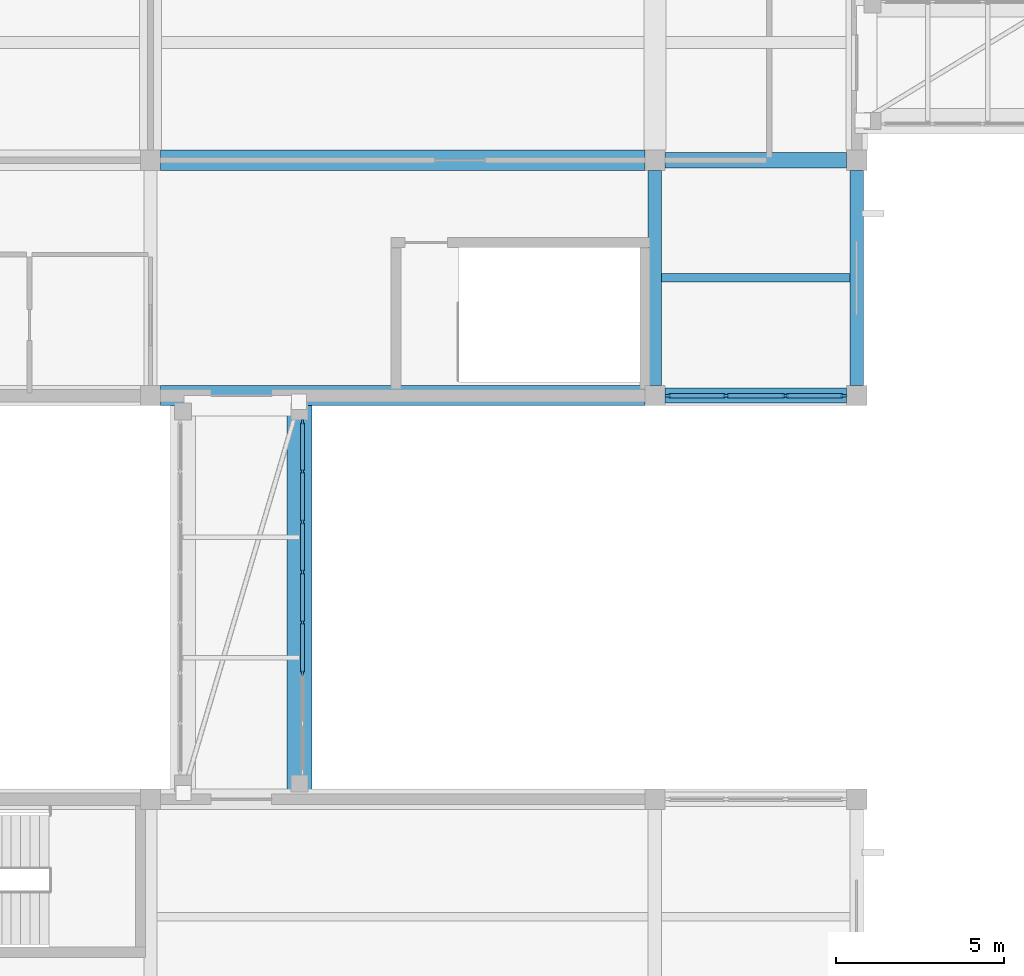
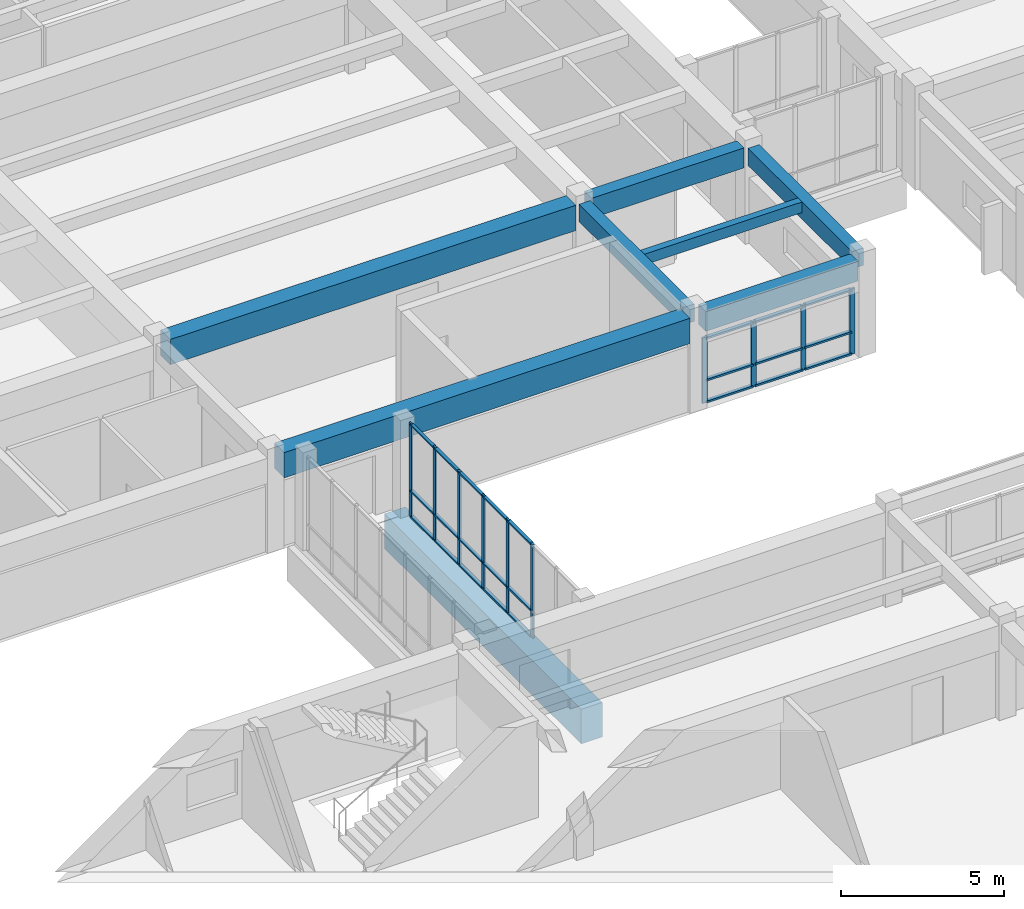
# One storey, part 13 of 66: 34 members, 8 beams, 2 elements without a shape of their own.
"""IFC4 building model written with IfcOpenShell, lengths in metres."""

from ifc_helpers import new_model, si_unit, direction, frame, origin, origin_2d, place, context, subcontext, project, spatial, rectangle, extrude, material, layer, layer_set, material_profile, profile_set, type_object, element, aggregate, save


model = new_model("IFC4")

# Units and contexts
model_context = context("Model", 3, precision=1e-05, world=origin(), true_north=direction((0.0, 1.0)))
body_context = subcontext(model_context, "Body", "Model", "MODEL_VIEW")
ifc_project = project(units=[si_unit("LENGTHUNIT", "METRE"), si_unit("AREAUNIT", "SQUARE_METRE"), si_unit("VOLUMEUNIT", "CUBIC_METRE"), si_unit("PLANEANGLEUNIT", "RADIAN"), si_unit("MASSUNIT", "GRAM", prefix="KILO")], contexts=[model_context])

# Site, building, storey
site_placement = place(None, origin())
site = spatial("IfcSite", under=ifc_project, at=site_placement, CompositionType="ELEMENT")
building_placement = place(site_placement, origin())
building = spatial("IfcBuilding", under=site, at=building_placement, Name="Naurynzar Civic Courthouse", CompositionType="ELEMENT")
storey_placement = place(building_placement, frame((0.0, 0.0, 14.39990234375)))
storey = spatial("IfcBuildingStorey", under=building, at=storey_placement, Name="L04", CompositionType="ELEMENT", Elevation=14.39990234375)

# Beams
ifc_material_1 = material(Name="Concrete C40/50", Category="concrete")
ifc_material_profile_1 = material_profile(ifc_material_1, rectangle(XDim=0.449951171875, YDim=0.75, at=origin_2d()), Name="RCF 450x750")
ifc_profile_set_1 = profile_set([ifc_material_profile_1], Name="Concrete C40/50")
beam_type_1 = type_object("IfcBeamType", Name="BM-FLD-450x750", PredefinedType="BEAM", material=ifc_profile_set_1)
for number, where, z_axis, x_axis, name in (
    (1, (50.300048828125, 44.0, 3.205078125), (1.0, 0.0, 0.0), (0.0, 1.0, 0.0), "V1 beam X-226 L04"),
    (2, (50.300048828125, 51.0, 3.205078125), (1.0, 0.0, 0.0), (0.0, 1.0, 0.0), "V1 beam X-231 L04"),
):
    element("IfcBeam", number, at=place(storey_placement, frame(where, z_axis=z_axis, x_axis=x_axis)), inside=storey, type_object=beam_type_1, Name=name, PredefinedType="BEAM", context=body_context, shape_type="SweptSolid", body=[
        extrude(rectangle(XDim=0.449951171875, YDim=0.75, at=origin_2d()), origin(), (0.0, 0.0, 1.0), 5.39990234375),
    ])
ifc_material_2 = material(Name="Concrete C40/50", Category="concrete")
ifc_material_profile_2 = material_profile(ifc_material_2, rectangle(XDim=0.25, YDim=0.39990234375, at=origin_2d()), Name="RCB 250x400")
ifc_profile_set_2 = profile_set([ifc_material_profile_2], Name="Concrete C40/50")
beam_type_2 = type_object("IfcBeamType", Name="BM-JST-250x400", PredefinedType="JOIST", material=ifc_profile_set_2)
beam_1_placement = place(storey_placement, frame((50.199951171875, 47.5, 3.380126953125), z_axis=(1.0, 0.0, 0.0), x_axis=(0.0, 1.0, 0.0)))
element("IfcBeam", 3, at=beam_1_placement, inside=storey, type_object=beam_type_2, Name="V1 secondary rib 260 L04", PredefinedType="JOIST", context=body_context, shape_type="SweptSolid", body=[
    extrude(rectangle(XDim=0.25, YDim=0.39990234375, at=origin_2d()), origin(), (0.0, 0.0, 1.0), 5.60009765625),
])
ifc_material_3 = material(Name="Concrete C40/50", Category="concrete")
ifc_material_profile_3 = material_profile(ifc_material_3, rectangle(XDim=0.60009765625, YDim=0.949951171875, at=origin_2d()), Name="PTB 600x950")
ifc_profile_set_3 = profile_set([ifc_material_profile_3], Name="Concrete C40/50")
beam_type_3 = type_object("IfcBeamType", Name="BM-PT-600x950", PredefinedType="T_BEAM", material=ifc_profile_set_3)
for number, where, z_axis, x_axis, name in (
    (4, (35.300048828125, 44.0, 3.10498046875), (1.0, 0.0, 0.0), (0.0, 1.0, 0.0), "V1 beam X-225 L04"),
    (5, (35.300048828125, 51.0, 3.10498046875), (1.0, 0.0, 0.0), (0.0, 1.0, 0.0), "V1 beam X-230 L04"),
):
    element("IfcBeam", number, at=place(storey_placement, frame(where, z_axis=z_axis, x_axis=x_axis)), inside=storey, type_object=beam_type_3, Name=name, PredefinedType="T_BEAM", context=body_context, shape_type="SweptSolid", body=[
        extrude(rectangle(XDim=0.60009765625, YDim=0.949951171875, at=origin_2d()), origin(), (0.0, 0.0, 1.0), 14.39990234375),
    ])
ifc_material_4 = material(Name="Concrete C40/50", Category="concrete")
ifc_material_profile_4 = material_profile(ifc_material_4, rectangle(XDim=0.39990234375, YDim=0.64990234375, at=origin_2d()), Name="RCB 400x650")
ifc_profile_set_4 = profile_set([ifc_material_profile_4], Name="Concrete C40/50")
beam_type_4 = type_object("IfcBeamType", Name="BM-RC-400x650", PredefinedType="BEAM", material=ifc_profile_set_4)
for number, where, z_axis, x_axis, name in (
    (6, (50.0, 44.300048828125, 3.255126953125), (0.0, 1.0, 0.0), (-1.0, 0.0, 0.0), "V1 girder Y-254 L04"),
    (7, (56.0, 44.300048828125, 3.255126953125), (0.0, 1.0, 0.0), (-1.0, 0.0, 0.0), "V1 girder Y-257 L04"),
):
    element("IfcBeam", number, at=place(storey_placement, frame(where, z_axis=z_axis, x_axis=x_axis)), inside=storey, type_object=beam_type_4, Name=name, PredefinedType="BEAM", context=body_context, shape_type="SweptSolid", body=[
        extrude(rectangle(XDim=0.39990234375, YDim=0.64990234375, at=origin_2d()), origin(), (0.0, 0.0, 1.0), 6.39990234375),
    ])
ifc_material_5 = material(Name="Concrete C40/50", Category="concrete")
ifc_material_profile_5 = material_profile(ifc_material_5, rectangle(XDim=0.75, YDim=1.300048828125, at=origin_2d()), Name="RCT 750x1300")
ifc_profile_set_5 = profile_set([ifc_material_profile_5], Name="Concrete C40/50")
beam_type_5 = type_object("IfcBeamType", Name="BM-TR-750x1300", PredefinedType="SPANDREL", material=ifc_profile_set_5)
beam_2_placement = place(storey_placement, frame((39.429931640625, 31.949951171875, -0.889892578125), z_axis=(0.0, 1.0, 0.0), x_axis=(-1.0, 0.0, 0.0)))
element("IfcBeam", 8, at=beam_2_placement, inside=storey, type_object=beam_type_5, Name="Transfer Girder TG-01", PredefinedType="SPANDREL", context=body_context, shape_type="SweptSolid", body=[
    extrude(rectangle(XDim=0.75, YDim=1.300048828125, at=origin_2d()), origin(), (0.0, 0.0, 1.0), 12.10009765625),
])

# Curtain wall, members
ifc_material_6 = material(Name="Aluminium 6063-T6", Category="aluminium")
ifc_layer_1 = layer(ifc_material_6, 0.14990234375)
ifc_layer_set_1 = layer_set([ifc_layer_1], Name="CW-BRIDGE-1500")
curtain_wall_type_1 = type_object("IfcCurtainWallType", Name="CW-BRIDGE-1500", PredefinedType="USERDEFINED", material=ifc_layer_set_1)
curtain_wall_1_placement = place(storey_placement, origin())
curtain_wall_1 = element("IfcCurtainWall", 9, at=curtain_wall_1_placement, inside=storey, type_object=curtain_wall_type_1, Name="BR-W1 glazed bridge screen L04.2", ObjectType="GLAZED BRIDGE SCREEN", PredefinedType="USERDEFINED")
ifc_material_7 = material(Name="Aluminium 6063-T6", Category="aluminium")
ifc_material_profile_6 = material_profile(ifc_material_7, rectangle(XDim=0.06005859375, YDim=0.14990234375, at=origin_2d()), Name="ALU MULLION 60x150")
ifc_profile_set_6 = profile_set([ifc_material_profile_6], Name="Aluminium 6063-T6")
member_type_1 = type_object("IfcMemberType", Name="CWM-60x150", PredefinedType="MULLION", material=ifc_profile_set_6)
member_1_placement = place(storey_placement, frame((39.52001953125, 35.75439453125, 0.0), z_axis=(0.0, 0.0, 1.0), x_axis=(-1.0, 0.0, 0.0)))
member_1 = element("IfcMember", 10, at=member_1_placement, type_object=member_type_1, Name="CW-03 mullion 3", PredefinedType="MULLION", context=body_context, shape_type="SweptSolid", body=[
    extrude(rectangle(XDim=0.06005859375, YDim=0.14990234375, at=origin_2d()), origin(), (0.0, 0.0, 1.0), 3.52001953125),
])
member_2_placement = place(storey_placement, frame((39.52001953125, 37.25146484375, 0.0), z_axis=(0.0, 0.0, 1.0), x_axis=(-1.0, 0.0, 0.0)))
member_2 = element("IfcMember", 11, at=member_2_placement, type_object=member_type_1, Name="CW-03 mullion 4", PredefinedType="MULLION", context=body_context, shape_type="SweptSolid", body=[
    extrude(rectangle(XDim=0.06005859375, YDim=0.14990234375, at=origin_2d()), origin(), (0.0, 0.0, 1.0), 3.52001953125),
])
member_3_placement = place(storey_placement, frame((39.52001953125, 38.74853515625, 0.0), z_axis=(0.0, 0.0, 1.0), x_axis=(-1.0, 0.0, 0.0)))
member_3 = element("IfcMember", 12, at=member_3_placement, type_object=member_type_1, Name="CW-03 mullion 5", PredefinedType="MULLION", context=body_context, shape_type="SweptSolid", body=[
    extrude(rectangle(XDim=0.06005859375, YDim=0.14990234375, at=origin_2d()), origin(), (0.0, 0.0, 1.0), 3.52001953125),
])
member_4_placement = place(storey_placement, frame((39.52001953125, 40.24560546875, 0.0), z_axis=(0.0, 0.0, 1.0), x_axis=(-1.0, 0.0, 0.0)))
member_4 = element("IfcMember", 13, at=member_4_placement, type_object=member_type_1, Name="CW-03 mullion 6", PredefinedType="MULLION", context=body_context, shape_type="SweptSolid", body=[
    extrude(rectangle(XDim=0.06005859375, YDim=0.14990234375, at=origin_2d()), origin(), (0.0, 0.0, 1.0), 3.52001953125),
])
member_5_placement = place(storey_placement, frame((39.52001953125, 41.742919921875, 0.0), z_axis=(0.0, 0.0, 1.0), x_axis=(-1.0, 0.0, 0.0)))
member_5 = element("IfcMember", 14, at=member_5_placement, type_object=member_type_1, Name="CW-03 mullion 7", PredefinedType="MULLION", context=body_context, shape_type="SweptSolid", body=[
    extrude(rectangle(XDim=0.06005859375, YDim=0.14990234375, at=origin_2d()), origin(), (0.0, 0.0, 1.0), 3.52001953125),
])
member_6_placement = place(storey_placement, frame((39.52001953125, 43.2099609375, 0.0), z_axis=(0.0, 0.0, 1.0), x_axis=(-1.0, 0.0, 0.0)))
member_6 = element("IfcMember", 15, at=member_6_placement, type_object=member_type_1, Name="CW-03 mullion 8", PredefinedType="MULLION", context=body_context, shape_type="SweptSolid", body=[
    extrude(rectangle(XDim=0.06005859375, YDim=0.14990234375, at=origin_2d()), origin(), (0.0, 0.0, 1.0), 3.52001953125),
])

ifc_material_8 = material(Name="Aluminium 6063-T6", Category="aluminium")
ifc_layer_2 = layer(ifc_material_8, 0.159912109375)
ifc_layer_set_2 = layer_set([ifc_layer_2], Name="CW-UNIT-1800")
curtain_wall_type_2 = type_object("IfcCurtainWallType", Name="CW-UNIT-1800", PredefinedType="NOTDEFINED", material=ifc_layer_set_2)
curtain_wall_2_placement = place(storey_placement, origin())
curtain_wall_2 = element("IfcCurtainWall", 16, at=curtain_wall_2_placement, inside=storey, type_object=curtain_wall_type_2, Name="V1 unitised curtain wall 17 L04", PredefinedType="NOTDEFINED")
ifc_material_9 = material(Name="Aluminium 6063-T6", Category="aluminium")
ifc_material_profile_7 = material_profile(ifc_material_9, rectangle(XDim=0.070068359375, YDim=0.179931640625, at=origin_2d()), Name="ALU MULLION 70x180")
ifc_profile_set_7 = profile_set([ifc_material_profile_7], Name="Aluminium 6063-T6")
member_type_2 = type_object("IfcMemberType", Name="CWM-70x180", PredefinedType="MULLION", material=ifc_profile_set_7)
member_7_placement = place(storey_placement, frame((55.614990234375, 44.0, 0.0), z_axis=(0.0, 0.0, 1.0), x_axis=(0.0, -1.0, 0.0)))
member_7 = element("IfcMember", 17, at=member_7_placement, type_object=member_type_2, Name="CW-02 mullion 1", PredefinedType="MULLION", context=body_context, shape_type="SweptSolid", body=[
    extrude(rectangle(XDim=0.070068359375, YDim=0.179931640625, at=origin_2d()), origin(), (0.0, 0.0, 1.0), 2.460205078125),
])
member_8_placement = place(storey_placement, frame((53.88330078125, 44.0, 0.0), z_axis=(0.0, 0.0, 1.0), x_axis=(0.0, -1.0, 0.0)))
member_8 = element("IfcMember", 18, at=member_8_placement, type_object=member_type_2, Name="CW-02 mullion 2", PredefinedType="MULLION", context=body_context, shape_type="SweptSolid", body=[
    extrude(rectangle(XDim=0.070068359375, YDim=0.179931640625, at=origin_2d()), origin(), (0.0, 0.0, 1.0), 2.460205078125),
])
member_9_placement = place(storey_placement, frame((52.11669921875, 44.0, 0.0), z_axis=(0.0, 0.0, 1.0), x_axis=(0.0, -1.0, 0.0)))
member_9 = element("IfcMember", 19, at=member_9_placement, type_object=member_type_2, Name="CW-02 mullion 3", PredefinedType="MULLION", context=body_context, shape_type="SweptSolid", body=[
    extrude(rectangle(XDim=0.070068359375, YDim=0.179931640625, at=origin_2d()), origin(), (0.0, 0.0, 1.0), 2.460205078125),
])
member_10_placement = place(storey_placement, frame((50.385009765625, 44.0, 0.0), z_axis=(0.0, 0.0, 1.0), x_axis=(0.0, -1.0, 0.0)))
member_10 = element("IfcMember", 20, at=member_10_placement, type_object=member_type_2, Name="CW-02 mullion 4", PredefinedType="MULLION", context=body_context, shape_type="SweptSolid", body=[
    extrude(rectangle(XDim=0.070068359375, YDim=0.179931640625, at=origin_2d()), origin(), (0.0, 0.0, 1.0), 2.460205078125),
])

# Member
ifc_material_10 = material(Name="Aluminium 6063-T6", Category="aluminium")
ifc_material_profile_8 = material_profile(ifc_material_10, rectangle(XDim=0.110107421875, YDim=0.06005859375, at=origin_2d()), Name="ALU TRANSOM 60x110")
ifc_profile_set_8 = profile_set([ifc_material_profile_8], Name="Aluminium 6063-T6")
member_type_3 = type_object("IfcMemberType", Name="CWT-60x110", PredefinedType="USERDEFINED", material=ifc_profile_set_8)
member_11_placement = place(storey_placement, frame((39.52001953125, 35.7841796875, 0.030029296875), z_axis=(0.0, 1.0, 0.0), x_axis=(-1.0, 0.0, 0.0)))
member_11 = element("IfcMember", 21, at=member_11_placement, type_object=member_type_3, Name="CW-03 transom 3.1", ObjectType="TRANSOM", PredefinedType="USERDEFINED", context=body_context, shape_type="SweptSolid", body=[
    extrude(rectangle(XDim=0.110107421875, YDim=0.06005859375, at=origin_2d()), origin(), (0.0, 0.0, 1.0), 1.437255859375),
])

member_12_placement = place(storey_placement, frame((39.52001953125, 35.7841796875, 1.0), z_axis=(0.0, 1.0, 0.0), x_axis=(-1.0, 0.0, 0.0)))
member_12 = element("IfcMember", 22, at=member_12_placement, type_object=member_type_3, Name="CW-03 transom 3.2", ObjectType="TRANSOM", PredefinedType="USERDEFINED", context=body_context, shape_type="SweptSolid", body=[
    extrude(rectangle(XDim=0.110107421875, YDim=0.06005859375, at=origin_2d()), origin(), (0.0, 0.0, 1.0), 1.437255859375),
])

member_13_placement = place(storey_placement, frame((39.52001953125, 35.7841796875, 3.489990234375), z_axis=(0.0, 1.0, 0.0), x_axis=(-1.0, 0.0, 0.0)))
member_13 = element("IfcMember", 23, at=member_13_placement, type_object=member_type_3, Name="CW-03 transom 3.3", ObjectType="TRANSOM", PredefinedType="USERDEFINED", context=body_context, shape_type="SweptSolid", body=[
    extrude(rectangle(XDim=0.110107421875, YDim=0.06005859375, at=origin_2d()), origin(), (0.0, 0.0, 1.0), 1.437255859375),
])

member_14_placement = place(storey_placement, frame((39.52001953125, 37.281494140625, 0.030029296875), z_axis=(0.0, 1.0, 0.0), x_axis=(-1.0, 0.0, 0.0)))
member_14 = element("IfcMember", 24, at=member_14_placement, type_object=member_type_3, Name="CW-03 transom 4.1", ObjectType="TRANSOM", PredefinedType="USERDEFINED", context=body_context, shape_type="SweptSolid", body=[
    extrude(rectangle(XDim=0.110107421875, YDim=0.06005859375, at=origin_2d()), origin(), (0.0, 0.0, 1.0), 1.43701171875),
])

member_15_placement = place(storey_placement, frame((39.52001953125, 37.281494140625, 1.0), z_axis=(0.0, 1.0, 0.0), x_axis=(-1.0, 0.0, 0.0)))
member_15 = element("IfcMember", 25, at=member_15_placement, type_object=member_type_3, Name="CW-03 transom 4.2", ObjectType="TRANSOM", PredefinedType="USERDEFINED", context=body_context, shape_type="SweptSolid", body=[
    extrude(rectangle(XDim=0.110107421875, YDim=0.06005859375, at=origin_2d()), origin(), (0.0, 0.0, 1.0), 1.43701171875),
])

member_16_placement = place(storey_placement, frame((39.52001953125, 37.281494140625, 3.489990234375), z_axis=(0.0, 1.0, 0.0), x_axis=(-1.0, 0.0, 0.0)))
member_16 = element("IfcMember", 26, at=member_16_placement, type_object=member_type_3, Name="CW-03 transom 4.3", ObjectType="TRANSOM", PredefinedType="USERDEFINED", context=body_context, shape_type="SweptSolid", body=[
    extrude(rectangle(XDim=0.110107421875, YDim=0.06005859375, at=origin_2d()), origin(), (0.0, 0.0, 1.0), 1.43701171875),
])

member_17_placement = place(storey_placement, frame((39.52001953125, 38.778564453125, 0.030029296875), z_axis=(0.0, 1.0, 0.0), x_axis=(-1.0, 0.0, 0.0)))
member_17 = element("IfcMember", 27, at=member_17_placement, type_object=member_type_3, Name="CW-03 transom 5.1", ObjectType="TRANSOM", PredefinedType="USERDEFINED", context=body_context, shape_type="SweptSolid", body=[
    extrude(rectangle(XDim=0.110107421875, YDim=0.06005859375, at=origin_2d()), origin(), (0.0, 0.0, 1.0), 1.437255859375),
])

member_18_placement = place(storey_placement, frame((39.52001953125, 38.778564453125, 1.0), z_axis=(0.0, 1.0, 0.0), x_axis=(-1.0, 0.0, 0.0)))
member_18 = element("IfcMember", 28, at=member_18_placement, type_object=member_type_3, Name="CW-03 transom 5.2", ObjectType="TRANSOM", PredefinedType="USERDEFINED", context=body_context, shape_type="SweptSolid", body=[
    extrude(rectangle(XDim=0.110107421875, YDim=0.06005859375, at=origin_2d()), origin(), (0.0, 0.0, 1.0), 1.437255859375),
])

member_19_placement = place(storey_placement, frame((39.52001953125, 38.778564453125, 3.489990234375), z_axis=(0.0, 1.0, 0.0), x_axis=(-1.0, 0.0, 0.0)))
member_19 = element("IfcMember", 29, at=member_19_placement, type_object=member_type_3, Name="CW-03 transom 5.3", ObjectType="TRANSOM", PredefinedType="USERDEFINED", context=body_context, shape_type="SweptSolid", body=[
    extrude(rectangle(XDim=0.110107421875, YDim=0.06005859375, at=origin_2d()), origin(), (0.0, 0.0, 1.0), 1.437255859375),
])

member_20_placement = place(storey_placement, frame((39.52001953125, 40.275634765625, 0.030029296875), z_axis=(0.0, 1.0, 0.0), x_axis=(-1.0, 0.0, 0.0)))
member_20 = element("IfcMember", 30, at=member_20_placement, type_object=member_type_3, Name="CW-03 transom 6.1", ObjectType="TRANSOM", PredefinedType="USERDEFINED", context=body_context, shape_type="SweptSolid", body=[
    extrude(rectangle(XDim=0.110107421875, YDim=0.06005859375, at=origin_2d()), origin(), (0.0, 0.0, 1.0), 1.437255859375),
])

member_21_placement = place(storey_placement, frame((39.52001953125, 40.275634765625, 1.0), z_axis=(0.0, 1.0, 0.0), x_axis=(-1.0, 0.0, 0.0)))
member_21 = element("IfcMember", 31, at=member_21_placement, type_object=member_type_3, Name="CW-03 transom 6.2", ObjectType="TRANSOM", PredefinedType="USERDEFINED", context=body_context, shape_type="SweptSolid", body=[
    extrude(rectangle(XDim=0.110107421875, YDim=0.06005859375, at=origin_2d()), origin(), (0.0, 0.0, 1.0), 1.437255859375),
])

member_22_placement = place(storey_placement, frame((39.52001953125, 40.275634765625, 3.489990234375), z_axis=(0.0, 1.0, 0.0), x_axis=(-1.0, 0.0, 0.0)))
member_22 = element("IfcMember", 32, at=member_22_placement, type_object=member_type_3, Name="CW-03 transom 6.3", ObjectType="TRANSOM", PredefinedType="USERDEFINED", context=body_context, shape_type="SweptSolid", body=[
    extrude(rectangle(XDim=0.110107421875, YDim=0.06005859375, at=origin_2d()), origin(), (0.0, 0.0, 1.0), 1.437255859375),
])

member_23_placement = place(storey_placement, frame((39.52001953125, 41.77294921875, 0.030029296875), z_axis=(0.0, 1.0, 0.0), x_axis=(-1.0, 0.0, 0.0)))
member_23 = element("IfcMember", 33, at=member_23_placement, type_object=member_type_3, Name="CW-03 transom 7.1", ObjectType="TRANSOM", PredefinedType="USERDEFINED", context=body_context, shape_type="SweptSolid", body=[
    extrude(rectangle(XDim=0.110107421875, YDim=0.06005859375, at=origin_2d()), origin(), (0.0, 0.0, 1.0), 1.406982421875),
])

member_24_placement = place(storey_placement, frame((39.52001953125, 41.77294921875, 1.0), z_axis=(0.0, 1.0, 0.0), x_axis=(-1.0, 0.0, 0.0)))
member_24 = element("IfcMember", 34, at=member_24_placement, type_object=member_type_3, Name="CW-03 transom 7.2", ObjectType="TRANSOM", PredefinedType="USERDEFINED", context=body_context, shape_type="SweptSolid", body=[
    extrude(rectangle(XDim=0.110107421875, YDim=0.06005859375, at=origin_2d()), origin(), (0.0, 0.0, 1.0), 1.406982421875),
])

member_25_placement = place(storey_placement, frame((39.52001953125, 41.77294921875, 3.489990234375), z_axis=(0.0, 1.0, 0.0), x_axis=(-1.0, 0.0, 0.0)))
member_25 = element("IfcMember", 35, at=member_25_placement, type_object=member_type_3, Name="CW-03 transom 7.3", ObjectType="TRANSOM", PredefinedType="USERDEFINED", context=body_context, shape_type="SweptSolid", body=[
    extrude(rectangle(XDim=0.110107421875, YDim=0.06005859375, at=origin_2d()), origin(), (0.0, 0.0, 1.0), 1.406982421875),
])

aggregate(curtain_wall_1, [member_1, member_2, member_3, member_4, member_5, member_6, member_11, member_12, member_13, member_14, member_15, member_16, member_17, member_18, member_19, member_20, member_21, member_22, member_23, member_24, member_25])

ifc_material_11 = material(Name="Aluminium 6063-T6", Category="aluminium")
ifc_material_profile_9 = material_profile(ifc_material_11, rectangle(XDim=0.1298828125, YDim=0.070068359375, at=origin_2d()), Name="ALU TRANSOM 70x130")
ifc_profile_set_9 = profile_set([ifc_material_profile_9], Name="Aluminium 6063-T6")
member_type_4 = type_object("IfcMemberType", Name="CWT-70x130", PredefinedType="USERDEFINED", material=ifc_profile_set_9)
member_26_placement = place(storey_placement, frame((55.580078125, 44.0, 0.03515625), z_axis=(-1.0, 0.0, 0.0), x_axis=(0.0, -1.0, 0.0)))
member_26 = element("IfcMember", 36, at=member_26_placement, type_object=member_type_4, Name="CW-02 transom 1.1", ObjectType="TRANSOM", PredefinedType="USERDEFINED", context=body_context, shape_type="SweptSolid", body=[
    extrude(rectangle(XDim=0.1298828125, YDim=0.070068359375, at=origin_2d()), origin(), (0.0, 0.0, 1.0), 1.661865234375),
])

member_27_placement = place(storey_placement, frame((55.580078125, 44.0, 0.85009765625), z_axis=(-1.0, 0.0, 0.0), x_axis=(0.0, -1.0, 0.0)))
member_27 = element("IfcMember", 37, at=member_27_placement, type_object=member_type_4, Name="CW-02 transom 1.2", ObjectType="TRANSOM", PredefinedType="USERDEFINED", context=body_context, shape_type="SweptSolid", body=[
    extrude(rectangle(XDim=0.1298828125, YDim=0.070068359375, at=origin_2d()), origin(), (0.0, 0.0, 1.0), 1.661865234375),
])

member_28_placement = place(storey_placement, frame((55.580078125, 44.0, 2.425048828125), z_axis=(-1.0, 0.0, 0.0), x_axis=(0.0, -1.0, 0.0)))
member_28 = element("IfcMember", 38, at=member_28_placement, type_object=member_type_4, Name="CW-02 transom 1.3", ObjectType="TRANSOM", PredefinedType="USERDEFINED", context=body_context, shape_type="SweptSolid", body=[
    extrude(rectangle(XDim=0.1298828125, YDim=0.070068359375, at=origin_2d()), origin(), (0.0, 0.0, 1.0), 1.661865234375),
])

member_29_placement = place(storey_placement, frame((53.848388671875, 44.0, 0.03515625), z_axis=(-1.0, 0.0, 0.0), x_axis=(0.0, -1.0, 0.0)))
member_29 = element("IfcMember", 39, at=member_29_placement, type_object=member_type_4, Name="CW-02 transom 2.1", ObjectType="TRANSOM", PredefinedType="USERDEFINED", context=body_context, shape_type="SweptSolid", body=[
    extrude(rectangle(XDim=0.1298828125, YDim=0.070068359375, at=origin_2d()), origin(), (0.0, 0.0, 1.0), 1.69677734375),
])

member_30_placement = place(storey_placement, frame((53.848388671875, 44.0, 0.85009765625), z_axis=(-1.0, 0.0, 0.0), x_axis=(0.0, -1.0, 0.0)))
member_30 = element("IfcMember", 40, at=member_30_placement, type_object=member_type_4, Name="CW-02 transom 2.2", ObjectType="TRANSOM", PredefinedType="USERDEFINED", context=body_context, shape_type="SweptSolid", body=[
    extrude(rectangle(XDim=0.1298828125, YDim=0.070068359375, at=origin_2d()), origin(), (0.0, 0.0, 1.0), 1.69677734375),
])

member_31_placement = place(storey_placement, frame((53.848388671875, 44.0, 2.425048828125), z_axis=(-1.0, 0.0, 0.0), x_axis=(0.0, -1.0, 0.0)))
member_31 = element("IfcMember", 41, at=member_31_placement, type_object=member_type_4, Name="CW-02 transom 2.3", ObjectType="TRANSOM", PredefinedType="USERDEFINED", context=body_context, shape_type="SweptSolid", body=[
    extrude(rectangle(XDim=0.1298828125, YDim=0.070068359375, at=origin_2d()), origin(), (0.0, 0.0, 1.0), 1.69677734375),
])

member_32_placement = place(storey_placement, frame((52.081787109375, 44.0, 0.03515625), z_axis=(-1.0, 0.0, 0.0), x_axis=(0.0, -1.0, 0.0)))
member_32 = element("IfcMember", 42, at=member_32_placement, type_object=member_type_4, Name="CW-02 transom 3.1", ObjectType="TRANSOM", PredefinedType="USERDEFINED", context=body_context, shape_type="SweptSolid", body=[
    extrude(rectangle(XDim=0.1298828125, YDim=0.070068359375, at=origin_2d()), origin(), (0.0, 0.0, 1.0), 1.661865234375),
])

member_33_placement = place(storey_placement, frame((52.081787109375, 44.0, 0.85009765625), z_axis=(-1.0, 0.0, 0.0), x_axis=(0.0, -1.0, 0.0)))
member_33 = element("IfcMember", 43, at=member_33_placement, type_object=member_type_4, Name="CW-02 transom 3.2", ObjectType="TRANSOM", PredefinedType="USERDEFINED", context=body_context, shape_type="SweptSolid", body=[
    extrude(rectangle(XDim=0.1298828125, YDim=0.070068359375, at=origin_2d()), origin(), (0.0, 0.0, 1.0), 1.661865234375),
])

member_34_placement = place(storey_placement, frame((52.081787109375, 44.0, 2.425048828125), z_axis=(-1.0, 0.0, 0.0), x_axis=(0.0, -1.0, 0.0)))
member_34 = element("IfcMember", 44, at=member_34_placement, type_object=member_type_4, Name="CW-02 transom 3.3", ObjectType="TRANSOM", PredefinedType="USERDEFINED", context=body_context, shape_type="SweptSolid", body=[
    extrude(rectangle(XDim=0.1298828125, YDim=0.070068359375, at=origin_2d()), origin(), (0.0, 0.0, 1.0), 1.661865234375),
])

aggregate(curtain_wall_2, [member_7, member_8, member_9, member_10, member_26, member_27, member_28, member_29, member_30, member_31, member_32, member_33, member_34])

save(model, "model.ifc")
